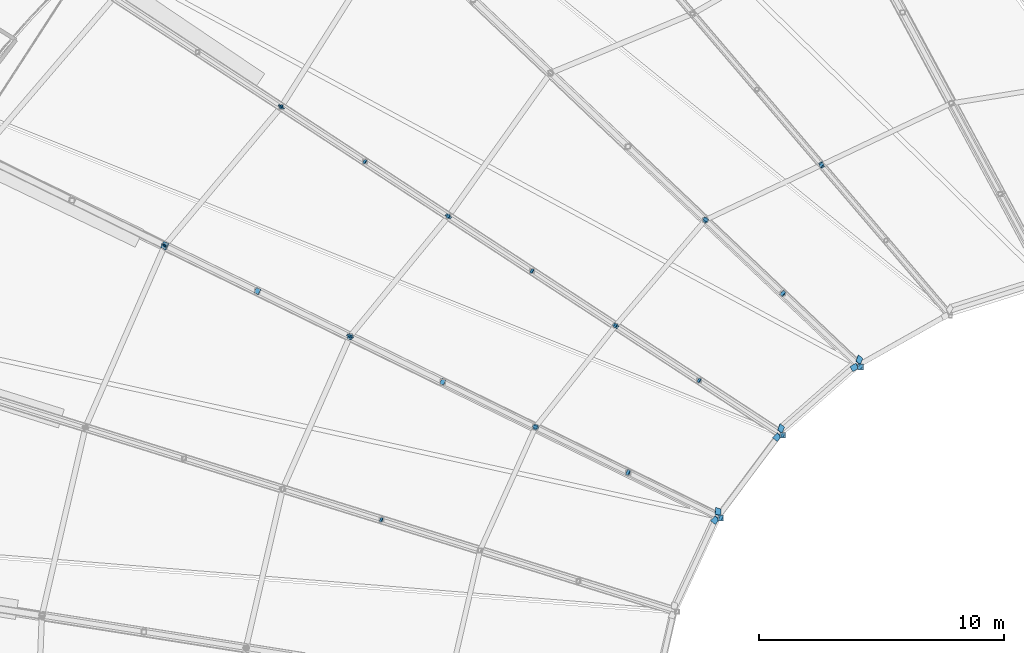
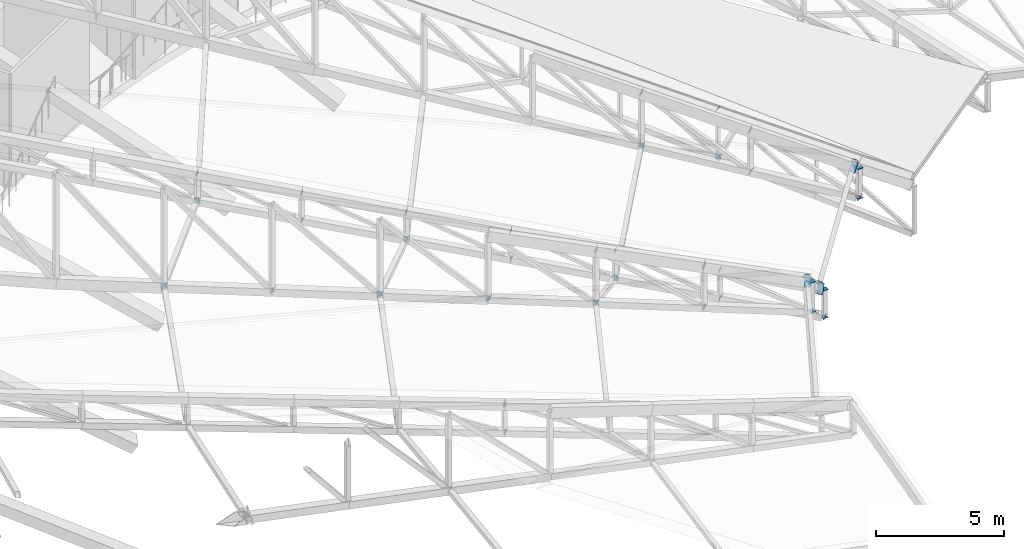
# One storey, part 316 of 344: 59 discrete accessories.
"""IFC4 building model written with IfcOpenShell, lengths in metres."""

from ifc_helpers import new_model, si_unit, direction, frame, origin, origin_2d, place, context, subcontext, project, spatial, rectangle, extrude, material, material_profile, profile_set, type_object, element, save


model = new_model("IFC4")

# Units and contexts
model_context = context("Model", 3, precision=1e-05, world=origin(), true_north=direction((0.0, 1.0)))
body_context = subcontext(model_context, "Body", "Model", "MODEL_VIEW")
ifc_project = project(units=[si_unit("LENGTHUNIT", "METRE"), si_unit("AREAUNIT", "SQUARE_METRE"), si_unit("VOLUMEUNIT", "CUBIC_METRE"), si_unit("PLANEANGLEUNIT", "RADIAN"), si_unit("MASSUNIT", "GRAM", prefix="KILO")], contexts=[model_context])

# Site, building, storey
site_placement = place(None, origin())
site = spatial("IfcSite", under=ifc_project, at=site_placement, CompositionType="ELEMENT")
building_placement = place(site_placement, origin())
building = spatial("IfcBuilding", under=site, at=building_placement, Name="Meseta Stadium", CompositionType="ELEMENT")
storey_placement = place(building_placement, frame((0.0, 0.0, 24.0)))
storey = spatial("IfcBuildingStorey", under=building, at=storey_placement, Name="L04", CompositionType="ELEMENT", Elevation=24.0)

# Discrete accessories
ifc_material_1 = material(Name="Steel S355", Category="steel")
ifc_material_profile_1 = material_profile(ifc_material_1, rectangle(XDim=0.179931640625, YDim=0.179931640625, at=origin_2d()), Name="PL 180x180")
ifc_profile_set_1 = profile_set([ifc_material_profile_1], Name="Steel S355")
discrete_accessory_type_1 = type_object("IfcDiscreteAccessoryType", Name="End plate 180x180x20", PredefinedType="ANCHORPLATE", material=ifc_profile_set_1)
discrete_accessory_1_placement = place(storey_placement, frame((-39.99169921875, 70.005859375, 2.311279296875), z_axis=(-0.506907853303, 0.603461730123, 0.615530964726), x_axis=(-0.76570486479, -0.643192086423, 0.0)))
element("IfcDiscreteAccessory", 1, at=discrete_accessory_1_placement, inside=storey, type_object=discrete_accessory_type_1, Name="End plate of ROOF TRUSS RT-23 diagonal", PredefinedType="ANCHORPLATE", context=body_context, shape_type="SweptSolid", body=[
    extrude(rectangle(XDim=0.179931640625, YDim=0.179931640625, at=origin_2d()), origin(), (0.0, 0.0, 1.0), 0.020263671875),
])
for number, where, z_axis, x_axis, name in (
    (2, (-39.9814453125, 69.993896484375, -0.0009765625), (-0.514457157149, 0.600200016674, 0.612448996606), (-0.759256602365, -0.650791373456, 0.0), "End plate of ROOF TRUSS RT-23 diagonal"),
    (3, (-41.564697265625, 58.953857421875, -0.34033203125), (-0.745790378384, 0.489042871072, 0.452364655741), (-0.54835696222, -0.836244367386, 0.0), "End plate of ROOF TRUSS RT-25 diagonal"),
):
    element("IfcDiscreteAccessory", number, at=place(storey_placement, frame(where, z_axis=z_axis, x_axis=x_axis)), inside=storey, type_object=discrete_accessory_type_1, Name=name, PredefinedType="ANCHORPLATE", context=body_context, shape_type="SweptSolid", body=[
        extrude(rectangle(XDim=0.179931640625, YDim=0.179931640625, at=origin_2d()), origin(), (0.0, 0.0, 1.0), 0.02001953125),
    ])
discrete_accessory_2_placement = place(storey_placement, frame((-44.994140625, 61.199951171875, 1.727783203125), z_axis=(-0.751142776324, 0.48460824279, 0.448262624581), x_axis=(-0.542126869822, -0.840296648224, 0.0)))
element("IfcDiscreteAccessory", 4, at=discrete_accessory_2_placement, inside=storey, type_object=discrete_accessory_type_1, Name="End plate of ROOF TRUSS RT-25 diagonal", PredefinedType="ANCHORPLATE", context=body_context, shape_type="SweptSolid", body=[
    extrude(rectangle(XDim=0.179931640625, YDim=0.179931640625, at=origin_2d()), origin(), (0.0, 0.0, 1.0), 0.020263671875),
])
for number, where, z_axis, x_axis, name in (
    (5, (-44.979248046875, 61.190185546875, 0.4189453125), (-0.745790378384, 0.489042871072, 0.452364655741), (-0.54835696222, -0.836244367386, 0.0), "End plate of ROOF TRUSS RT-25 diagonal"),
    (6, (-48.408935546875, 63.4365234375, 2.487060546875), (-0.745790378384, 0.489042871072, 0.452364655741), (-0.54835696222, -0.836244367386, 0.0), "End plate of ROOF TRUSS RT-25 diagonal"),
    (7, (-48.39404296875, 63.426513671875, 1.177978515625), (-0.741316092871, 0.498261636192, 0.449650744856), (-0.557836036894, -0.829951176842, 0.0), "End plate of ROOF TRUSS RT-25 diagonal"),
):
    element("IfcDiscreteAccessory", number, at=place(storey_placement, frame(where, z_axis=z_axis, x_axis=x_axis)), inside=storey, type_object=discrete_accessory_type_1, Name=name, PredefinedType="ANCHORPLATE", context=body_context, shape_type="SweptSolid", body=[
        extrude(rectangle(XDim=0.179931640625, YDim=0.179931640625, at=origin_2d()), origin(), (0.0, 0.0, 1.0), 0.02001953125),
    ])
discrete_accessory_3_placement = place(storey_placement, frame((-51.82373046875, 65.6728515625, 3.246337890625), z_axis=(-0.749892944856, 0.491733078594, 0.442559770734), x_axis=(-0.54835696222, -0.836244367386, 0.0)))
element("IfcDiscreteAccessory", 8, at=discrete_accessory_3_placement, inside=storey, type_object=discrete_accessory_type_1, Name="End plate of ROOF TRUSS RT-25 diagonal", PredefinedType="ANCHORPLATE", context=body_context, shape_type="SweptSolid", body=[
    extrude(rectangle(XDim=0.179931640625, YDim=0.179931640625, at=origin_2d()), origin(), (0.0, 0.0, 1.0), 0.019775390625),
])
discrete_accessory_4_placement = place(storey_placement, frame((-51.808837890625, 65.6630859375, 1.937255859375), z_axis=(-0.745790378384, 0.489042871072, 0.452364655741), x_axis=(-0.54835696222, -0.836244367386, 0.0)))
element("IfcDiscreteAccessory", 9, at=discrete_accessory_4_placement, inside=storey, type_object=discrete_accessory_type_1, Name="End plate of ROOF TRUSS RT-25 diagonal", PredefinedType="ANCHORPLATE", context=body_context, shape_type="SweptSolid", body=[
    extrude(rectangle(XDim=0.179931640625, YDim=0.179931640625, at=origin_2d()), origin(), (0.0, 0.0, 1.0), 0.02001953125),
])
discrete_accessory_5_placement = place(storey_placement, frame((-55.23828125, 67.9091796875, 4.00537109375), z_axis=(-0.751142776324, 0.48460824279, 0.448262624581), x_axis=(-0.542126869822, -0.840296648224, 0.0)))
element("IfcDiscreteAccessory", 10, at=discrete_accessory_5_placement, inside=storey, type_object=discrete_accessory_type_1, Name="End plate of ROOF TRUSS RT-25 diagonal", PredefinedType="ANCHORPLATE", context=body_context, shape_type="SweptSolid", body=[
    extrude(rectangle(XDim=0.179931640625, YDim=0.179931640625, at=origin_2d()), origin(), (0.0, 0.0, 1.0), 0.020263671875),
])
for number, where, z_axis, x_axis, name in (
    (11, (-55.223388671875, 67.8994140625, 2.6962890625), (-0.745790378384, 0.489042871072, 0.452364655741), (-0.54835696222, -0.836244367386, 0.0), "End plate of ROOF TRUSS RT-25 diagonal"),
    (12, (-58.653076171875, 70.1455078125, 4.7646484375), (-0.745790378384, 0.489042871072, 0.452364655741), (-0.54835696222, -0.836244367386, 0.0), "End plate of ROOF TRUSS RT-25 diagonal"),
    (13, (-58.63818359375, 70.1357421875, 3.45556640625), (-0.745790378384, 0.489042871072, 0.452364655741), (-0.54835696222, -0.836244367386, 0.0), "End plate of ROOF TRUSS RT-25 diagonal"),
    (14, (-62.06787109375, 72.3818359375, 5.523681640625), (-0.745790378384, 0.489042871072, 0.452364655741), (-0.54835696222, -0.836244367386, 0.0), "End plate of ROOF TRUSS RT-25 diagonal"),
):
    element("IfcDiscreteAccessory", number, at=place(storey_placement, frame(where, z_axis=z_axis, x_axis=x_axis)), inside=storey, type_object=discrete_accessory_type_1, Name=name, PredefinedType="ANCHORPLATE", context=body_context, shape_type="SweptSolid", body=[
        extrude(rectangle(XDim=0.179931640625, YDim=0.179931640625, at=origin_2d()), origin(), (0.0, 0.0, 1.0), 0.02001953125),
    ])
discrete_accessory_6_placement = place(storey_placement, frame((-62.052978515625, 72.3720703125, 4.21484375), z_axis=(-0.749892944856, 0.491733078594, 0.442559770734), x_axis=(-0.54835696222, -0.836244367386, 0.0)))
element("IfcDiscreteAccessory", 15, at=discrete_accessory_6_placement, inside=storey, type_object=discrete_accessory_type_1, Name="End plate of ROOF TRUSS RT-25 diagonal", PredefinedType="ANCHORPLATE", context=body_context, shape_type="SweptSolid", body=[
    extrude(rectangle(XDim=0.179931640625, YDim=0.179931640625, at=origin_2d()), origin(), (0.0, 0.0, 1.0), 0.019775390625),
])
discrete_accessory_7_placement = place(storey_placement, frame((-57.978759765625, 55.5107421875, 3.317626953125), z_axis=(-0.856465372407, 0.269174831328, 0.440467905809), x_axis=(-0.29982659674, -0.953993716901, 0.0)))
element("IfcDiscreteAccessory", 16, at=discrete_accessory_7_placement, inside=storey, type_object=discrete_accessory_type_1, Name="End plate of ROOF TRUSS RT-27 diagonal", PredefinedType="ANCHORPLATE", context=body_context, shape_type="SweptSolid", body=[
    extrude(rectangle(XDim=0.179931640625, YDim=0.179931640625, at=origin_2d()), origin(), (0.0, 0.0, 1.0), 0.02001953125),
])
discrete_accessory_8_placement = place(storey_placement, frame((-57.96142578125, 55.50537109375, 2.0087890625), z_axis=(-0.859675052741, 0.266378185356, 0.435891576038), x_axis=(-0.295976029358, -0.955195367475, 0.0)))
element("IfcDiscreteAccessory", 17, at=discrete_accessory_8_placement, inside=storey, type_object=discrete_accessory_type_1, Name="End plate of ROOF TRUSS RT-27 diagonal", PredefinedType="ANCHORPLATE", context=body_context, shape_type="SweptSolid", body=[
    extrude(rectangle(XDim=0.179931640625, YDim=0.179931640625, at=origin_2d()), origin(), (0.0, 0.0, 1.0), 0.020263671875),
])
ifc_material_2 = material(Name="Steel S355", Category="steel")
ifc_material_profile_2 = material_profile(ifc_material_2, rectangle(XDim=0.219970703125, YDim=0.219970703125, at=origin_2d()), Name="PL 220x220")
ifc_profile_set_2 = profile_set([ifc_material_profile_2], Name="Steel S355")
discrete_accessory_type_2 = type_object("IfcDiscreteAccessoryType", Name="End plate 220x220x20", PredefinedType="ANCHORPLATE", material=ifc_profile_set_2)
for number, where, z_axis, x_axis, name in (
    (18, (-38.3935546875, 61.740234375, 2.548828125), (-0.635044198054, 0.598407032782, 0.488495536965), (-0.685801146497, -0.727788971793, 0.0), "End plate of ROOF TRUSS RT-24 diagonal"),
    (19, (-41.57177734375, 64.754638671875, 5.02294921875), (-0.631242768632, 0.594824916596, 0.497710644498), (-0.685801146497, -0.727788971793, 0.0), "End plate of ROOF TRUSS RT-24 diagonal"),
    (20, (-41.559814453125, 64.7431640625, 3.0595703125), (-0.597472125565, 0.573085508195, 0.56089219951), (-0.692225183729, -0.721681574526, 0.0), "End plate of ROOF TRUSS RT-24 diagonal"),
    (21, (-44.7373046875, 67.7568359375, 6.087646484375), (-0.597472125565, 0.573085508195, 0.56089219951), (-0.692225183729, -0.721681574526, 0.0), "End plate of ROOF TRUSS RT-24 diagonal"),
    (22, (-44.72607421875, 67.746337890625, 3.570556640625), (-0.563284074751, 0.526548156832, 0.636755910588), (-0.682883878065, -0.730526939325, 0.0), "End plate of ROOF TRUSS RT-24 diagonal"),
    (23, (-41.57958984375, 58.963623046875, -0.351318359375), (0.0, 0.0, 1.0), (1.0, 0.0, 0.0), "End plate of ROOF TRUSS RT-25 post"),
    (24, (-41.57958984375, 58.963623046875, 0.96875), (0.0, 0.0, 1.0), (1.0, 0.0, 0.0), "End plate of ROOF TRUSS RT-25 post"),
    (25, (-44.09228515625, 55.5732421875, 2.86865234375), (-0.78905346079, 0.376317804377, 0.485571360486), (-0.430472524882, -0.902603681203, 0.0), "End plate of ROOF TRUSS RT-26 diagonal"),
    (26, (-47.895751953125, 57.435546875, 5.2216796875), (-0.793686884002, 0.378527590832, 0.476212130401), (-0.430472524882, -0.902603681203, 0.0), "End plate of ROOF TRUSS RT-26 diagonal"),
):
    element("IfcDiscreteAccessory", number, at=place(storey_placement, frame(where, z_axis=z_axis, x_axis=x_axis)), inside=storey, type_object=discrete_accessory_type_2, Name=name, PredefinedType="ANCHORPLATE", context=body_context, shape_type="SweptSolid", body=[
        extrude(rectangle(XDim=0.219970703125, YDim=0.219970703125, at=origin_2d()), origin(), (0.0, 0.0, 1.0), 0.02001953125),
    ])
discrete_accessory_9_placement = place(storey_placement, frame((-47.881103515625, 57.42822265625, 3.262939453125), z_axis=(-0.737655359407, 0.368827679704, 0.565535775546), x_axis=(-0.4472135955, -0.894427191, 0.0)))
element("IfcDiscreteAccessory", 27, at=discrete_accessory_9_placement, inside=storey, type_object=discrete_accessory_type_2, Name="End plate of ROOF TRUSS RT-26 diagonal", PredefinedType="ANCHORPLATE", context=body_context, shape_type="SweptSolid", body=[
    extrude(rectangle(XDim=0.219970703125, YDim=0.219970703125, at=origin_2d()), origin(), (0.0, 0.0, 1.0), 0.019775390625),
])
for number, where, z_axis, x_axis, name in (
    (28, (-51.68359375, 59.2900390625, 6.164794921875), (-0.743184359651, 0.365500504746, 0.560434107278), (-0.441319655469, -0.897349966121, 0.0), "End plate of ROOF TRUSS RT-26 diagonal"),
    (29, (-51.669677734375, 59.283203125, 3.657470703125), (-0.694450959018, 0.34113380443, 0.633534208227), (-0.440903879653, -0.897554326437, 0.0), "End plate of ROOF TRUSS RT-26 diagonal"),
):
    element("IfcDiscreteAccessory", number, at=place(storey_placement, frame(where, z_axis=z_axis, x_axis=x_axis)), inside=storey, type_object=discrete_accessory_type_2, Name=name, PredefinedType="ANCHORPLATE", context=body_context, shape_type="SweptSolid", body=[
        extrude(rectangle(XDim=0.219970703125, YDim=0.219970703125, at=origin_2d()), origin(), (0.0, 0.0, 1.0), 0.02001953125),
    ])
ifc_material_3 = material(Name="Steel S355", Category="steel")
ifc_material_profile_3 = material_profile(ifc_material_3, rectangle(XDim=0.239990234375, YDim=0.239990234375, at=origin_2d()), Name="PL 240x240")
ifc_profile_set_3 = profile_set([ifc_material_profile_3], Name="Steel S355")
discrete_accessory_type_3 = type_object("IfcDiscreteAccessoryType", Name="End plate 240x240x20", PredefinedType="ANCHORPLATE", material=ifc_profile_set_3)
for number, where, z_axis, x_axis, name in (
    (30, (-38.40625, 61.752197265625, 2.53857421875), (0.0, 0.0, 1.0), (1.0, 0.0, 0.0), "End plate of ROOF TRUSS RT-24 post"),
    (31, (-38.40625, 61.752197265625, 3.95849609375), (0.0, 0.0, 1.0), (1.0, 0.0, 0.0), "End plate of ROOF TRUSS RT-24 post"),
    (32, (-44.108154296875, 55.580810546875, 2.8583984375), (0.0, 0.0, 1.0), (1.0, 0.0, 0.0), "End plate of ROOF TRUSS RT-26 post"),
    (33, (-44.108154296875, 55.580810546875, 4.278564453125), (0.0, 0.0, 1.0), (1.0, 0.0, 0.0), "End plate of ROOF TRUSS RT-26 post"),
):
    element("IfcDiscreteAccessory", number, at=place(storey_placement, frame(where, z_axis=z_axis, x_axis=x_axis)), inside=storey, type_object=discrete_accessory_type_3, Name=name, PredefinedType="ANCHORPLATE", context=body_context, shape_type="SweptSolid", body=[
        extrude(rectangle(XDim=0.239990234375, YDim=0.239990234375, at=origin_2d()), origin(), (0.0, 0.0, 1.0), 0.02001953125),
    ])
discrete_accessory_10_placement = place(storey_placement, frame((-55.458251953125, 61.13818359375, 4.052001953125), z_axis=(-0.652880901631, 0.314350063748, 0.689152062833), x_axis=(-0.433815618773, -0.901001669759, 0.0)))
element("IfcDiscreteAccessory", 34, at=discrete_accessory_10_placement, inside=storey, type_object=discrete_accessory_type_3, Name="End plate of ROOF TRUSS RT-26 diagonal", PredefinedType="ANCHORPLATE", context=body_context, shape_type="SweptSolid", body=[
    extrude(rectangle(XDim=0.239990234375, YDim=0.239990234375, at=origin_2d()), origin(), (0.0, 0.0, 1.0), 0.020263671875),
])
for number, where, z_axis, x_axis, name in (
    (35, (-59.246826171875, 62.9931640625, 4.447021484375), (-0.60971076085, 0.304855380425, 0.73165291302), (-0.4472135955, -0.894427191, 0.0), "End plate of ROOF TRUSS RT-26 diagonal"),
    (36, (-63.035400390625, 64.84814453125, 4.842041015625), (-0.573896669971, 0.280843051262, 0.76926574911), (-0.439552863981, -0.898216722048, 0.0), "End plate of ROOF TRUSS RT-26 diagonal"),
    (37, (-39.99169921875, 70.005859375, 0.01123046875), (-0.783229949511, -0.367139038833, -0.501756686406), (0.424433876231, -0.905458935959, 0.0), "End plate of ROOF TRUSS STRUT RT-22/23"),
    (38, (-39.976806640625, 70.012939453125, 0.0), (-0.746460149851, -0.35487449747, 0.562904375298), (0.429358789068, -0.903134004592, 0.0), "End plate of ROOF TRUSS STRUT RT-23/24"),
    (39, (-44.7373046875, 67.7568359375, 3.583251953125), (-0.751805159854, -0.351650800577, 0.557790925053), (0.423685108901, -0.905809543169, 0.0), "End plate of ROOF TRUSS STRUT RT-23/24"),
    (40, (-44.7255859375, 67.77099609375, 3.591064453125), (-0.586763744255, -0.709006190975, -0.391175829503), (0.770394321125, -0.637567714034, 0.0), "End plate of ROOF TRUSS STRUT RT-24/25"),
    (41, (-48.408935546875, 63.4365234375, 1.18701171875), (-0.594693478097, -0.703922892442, -0.388371251002), (0.763885625546, -0.645351649168, 0.0), "End plate of ROOF TRUSS STRUT RT-24/25"),
    (42, (-48.397705078125, 63.45068359375, 1.178466796875), (-0.56176986751, -0.708318528599, 0.427433594844), (0.78349767909, -0.621394711002, 0.0), "End plate of ROOF TRUSS STRUT RT-25/26"),
):
    element("IfcDiscreteAccessory", number, at=place(storey_placement, frame(where, z_axis=z_axis, x_axis=x_axis)), inside=storey, type_object=discrete_accessory_type_3, Name=name, PredefinedType="ANCHORPLATE", context=body_context, shape_type="SweptSolid", body=[
        extrude(rectangle(XDim=0.239990234375, YDim=0.239990234375, at=origin_2d()), origin(), (0.0, 0.0, 1.0), 0.02001953125),
    ])
discrete_accessory_11_placement = place(storey_placement, frame((-51.68359375, 59.2900390625, 3.670166015625), z_axis=(-0.564682908561, -0.711991493403, 0.417374323719), x_axis=(0.78349767909, -0.621394711002, 0.0)))
element("IfcDiscreteAccessory", 43, at=discrete_accessory_11_placement, inside=storey, type_object=discrete_accessory_type_3, Name="End plate of ROOF TRUSS STRUT RT-25/26", PredefinedType="ANCHORPLATE", context=body_context, shape_type="SweptSolid", body=[
    extrude(rectangle(XDim=0.239990234375, YDim=0.239990234375, at=origin_2d()), origin(), (0.0, 0.0, 1.0), 0.019775390625),
])
discrete_accessory_12_placement = place(storey_placement, frame((-51.676025390625, 59.306884765625, 3.677978515625), z_axis=(-0.377431832286, -0.840090207346, -0.389607052682), x_axis=(0.912168696111, -0.409814921441, 0.0)))
element("IfcDiscreteAccessory", 44, at=discrete_accessory_12_placement, inside=storey, type_object=discrete_accessory_type_3, Name="End plate of ROOF TRUSS STRUT RT-26/27", PredefinedType="ANCHORPLATE", context=body_context, shape_type="SweptSolid", body=[
    extrude(rectangle(XDim=0.239990234375, YDim=0.239990234375, at=origin_2d()), origin(), (0.0, 0.0, 1.0), 0.02001953125),
])
ifc_material_4 = material(Name="Steel S355", Category="steel")
ifc_material_profile_4 = material_profile(ifc_material_4, rectangle(XDim=0.239990234375, YDim=0.43994140625, at=origin_2d()), Name="PL 240x440")
ifc_profile_set_4 = profile_set([ifc_material_profile_4], Name="Steel S355")
discrete_accessory_type_4 = type_object("IfcDiscreteAccessoryType", Name="End plate 240x440x20", PredefinedType="ANCHORPLATE", material=ifc_profile_set_4)
for number, where, z_axis, x_axis, name in (
    (45, (-38.640380859375, 61.739013671875, 4.06396484375), (-0.681055585504, -0.389174620288, 0.620247051084), (0.492473062621, -0.870311408718, -0.00532301122), "End plate of TIP RING BEAM 24"),
    (46, (-38.444091796875, 62.046875, 4.106201171875), (-0.613369973061, -0.539765576293, -0.576567774677), (0.760507738227, -0.600605166355, -0.246782118973), "End plate of TIP RING BEAM 25"),
    (47, (-41.641357421875, 59.2373046875, 1.1259765625), (-0.620936240212, -0.535709697438, -0.572235358627), (0.753589742258, -0.608890000799, -0.247700357873), "End plate of TIP RING BEAM 25"),
    (48, (-41.797607421875, 58.892333984375, 1.099365234375), (-0.475574393463, -0.634099191284, 0.60971076085), (0.774878441318, -0.630060981902, -0.05085823695), "End plate of TIP RING BEAM 26"),
    (49, (-44.332763671875, 55.50048828125, 4.3798828125), (-0.475574393463, -0.634099191284, 0.60971076085), (0.774878441318, -0.630060981902, -0.05085823695), "End plate of TIP RING BEAM 26"),
    (50, (-44.214599609375, 55.84130859375, 4.40966796875), (-0.342945711704, -0.722635606805, -0.600154995482), (0.937749362105, -0.300715729944, -0.17377049127), "End plate of TIP RING BEAM 27"),
):
    element("IfcDiscreteAccessory", number, at=place(storey_placement, frame(where, z_axis=z_axis, x_axis=x_axis)), inside=storey, type_object=discrete_accessory_type_4, Name=name, PredefinedType="ANCHORPLATE", context=body_context, shape_type="SweptSolid", body=[
        extrude(rectangle(XDim=0.239990234375, YDim=0.43994140625, at=origin_2d()), origin(), (0.0, 0.0, 1.0), 0.02001953125),
    ])
ifc_material_5 = material(Name="Steel S355", Category="steel")
ifc_material_profile_5 = material_profile(ifc_material_5, rectangle(XDim=0.260009765625, YDim=0.260009765625, at=origin_2d()), Name="PL 260x260")
ifc_profile_set_5 = profile_set([ifc_material_profile_5], Name="Steel S355")
discrete_accessory_type_5 = type_object("IfcDiscreteAccessoryType", Name="End plate 260x260x20", PredefinedType="ANCHORPLATE", material=ifc_profile_set_5)
discrete_accessory_13_placement = place(storey_placement, frame((-55.23828125, 67.9091796875, 2.705322265625), z_axis=(-0.558571713557, -0.789286116983, -0.255000130102), x_axis=(0.816271211705, -0.577668857514, 0.0)))
element("IfcDiscreteAccessory", 51, at=discrete_accessory_13_placement, inside=storey, type_object=discrete_accessory_type_5, Name="End plate of ROOF TRUSS STRUT RT-24/25", PredefinedType="ANCHORPLATE", context=body_context, shape_type="SweptSolid", body=[
    extrude(rectangle(XDim=0.260009765625, YDim=0.260009765625, at=origin_2d()), origin(), (0.0, 0.0, 1.0), 0.02001953125),
])
discrete_accessory_14_placement = place(storey_placement, frame((-62.06787109375, 72.3818359375, 4.2236328125), z_axis=(-0.527617291246, -0.834371530343, -0.15951220433), x_axis=(0.845193423646, -0.534460547305, 0.0)))
element("IfcDiscreteAccessory", 52, at=discrete_accessory_14_placement, inside=storey, type_object=discrete_accessory_type_5, Name="End plate of ROOF TRUSS STRUT RT-24/25", PredefinedType="ANCHORPLATE", context=body_context, shape_type="SweptSolid", body=[
    extrude(rectangle(XDim=0.260009765625, YDim=0.260009765625, at=origin_2d()), origin(), (0.0, 0.0, 1.0), 0.019775390625),
])
for number, where, z_axis, x_axis, name in (
    (53, (-55.22607421875, 67.924072265625, 2.699951171875), (-0.610619421206, -0.744955693871, 0.268672545331), (0.77339210496, -0.633927954885, 0.0), "End plate of ROOF TRUSS STRUT RT-25/26"),
    (54, (-59.259033203125, 62.999267578125, 4.461669921875), (-0.610619421206, -0.744955693871, 0.268672545331), (0.77339210496, -0.633927954885, 0.0), "End plate of ROOF TRUSS STRUT RT-25/26"),
    (55, (-62.05517578125, 72.39697265625, 4.220947265625), (-0.636755910588, -0.759208970316, 0.134698365701), (0.766191543126, -0.642612261976, 0.0), "End plate of ROOF TRUSS STRUT RT-25/26"),
    (56, (-66.834716796875, 66.708251953125, 5.253173828125), (-0.636755910588, -0.759208970316, 0.134698365701), (0.766191543126, -0.642612261976, 0.0), "End plate of ROOF TRUSS STRUT RT-25/26"),
):
    element("IfcDiscreteAccessory", number, at=place(storey_placement, frame(where, z_axis=z_axis, x_axis=x_axis)), inside=storey, type_object=discrete_accessory_type_5, Name=name, PredefinedType="ANCHORPLATE", context=body_context, shape_type="SweptSolid", body=[
        extrude(rectangle(XDim=0.260009765625, YDim=0.260009765625, at=origin_2d()), origin(), (0.0, 0.0, 1.0), 0.02001953125),
    ])
discrete_accessory_15_placement = place(storey_placement, frame((-59.251220703125, 63.016845703125, 4.466552734375), z_axis=(-0.393654265044, -0.885722096349, -0.246033915653), x_axis=(0.91381154862, -0.406138466053, 0.0)))
element("IfcDiscreteAccessory", 57, at=discrete_accessory_15_placement, inside=storey, type_object=discrete_accessory_type_5, Name="End plate of ROOF TRUSS STRUT RT-26/27", PredefinedType="ANCHORPLATE", context=body_context, shape_type="SweptSolid", body=[
    extrude(rectangle(XDim=0.260009765625, YDim=0.260009765625, at=origin_2d()), origin(), (0.0, 0.0, 1.0), 0.019775390625),
])
discrete_accessory_16_placement = place(storey_placement, frame((-66.82666015625, 66.7265625, 5.255615234375), z_axis=(-0.399772462433, -0.908573778258, -0.121143170434), x_axis=(0.915315032423, -0.402738614266, 0.0)))
element("IfcDiscreteAccessory", 58, at=discrete_accessory_16_placement, inside=storey, type_object=discrete_accessory_type_5, Name="End plate of ROOF TRUSS STRUT RT-26/27", PredefinedType="ANCHORPLATE", context=body_context, shape_type="SweptSolid", body=[
    extrude(rectangle(XDim=0.260009765625, YDim=0.260009765625, at=origin_2d()), origin(), (0.0, 0.0, 1.0), 0.020263671875),
])
ifc_material_6 = material(Name="Steel S355", Category="steel")
ifc_material_profile_6 = material_profile(ifc_material_6, rectangle(XDim=0.2900390625, YDim=0.2900390625, at=origin_2d()), Name="PL 290x290")
ifc_profile_set_6 = profile_set([ifc_material_profile_6], Name="Steel S355")
discrete_accessory_type_6 = type_object("IfcDiscreteAccessoryType", Name="End plate 290x290x20", PredefinedType="ANCHORPLATE", material=ifc_profile_set_6)
discrete_accessory_17_placement = place(storey_placement, frame((-66.82373046875, 66.703125, 5.2373046875), z_axis=(-0.550132115489, 0.256728320562, 0.794635277929), x_axis=(-0.422885465331, -0.906183139995, 0.0)))
element("IfcDiscreteAccessory", 59, at=discrete_accessory_17_placement, inside=storey, type_object=discrete_accessory_type_6, Name="End plate of ROOF TRUSS RT-26 diagonal", PredefinedType="ANCHORPLATE", context=body_context, shape_type="SweptSolid", body=[
    extrude(rectangle(XDim=0.2900390625, YDim=0.2900390625, at=origin_2d()), origin(), (0.0, 0.0, 1.0), 0.02001953125),
])

save(model, "model.ifc")
